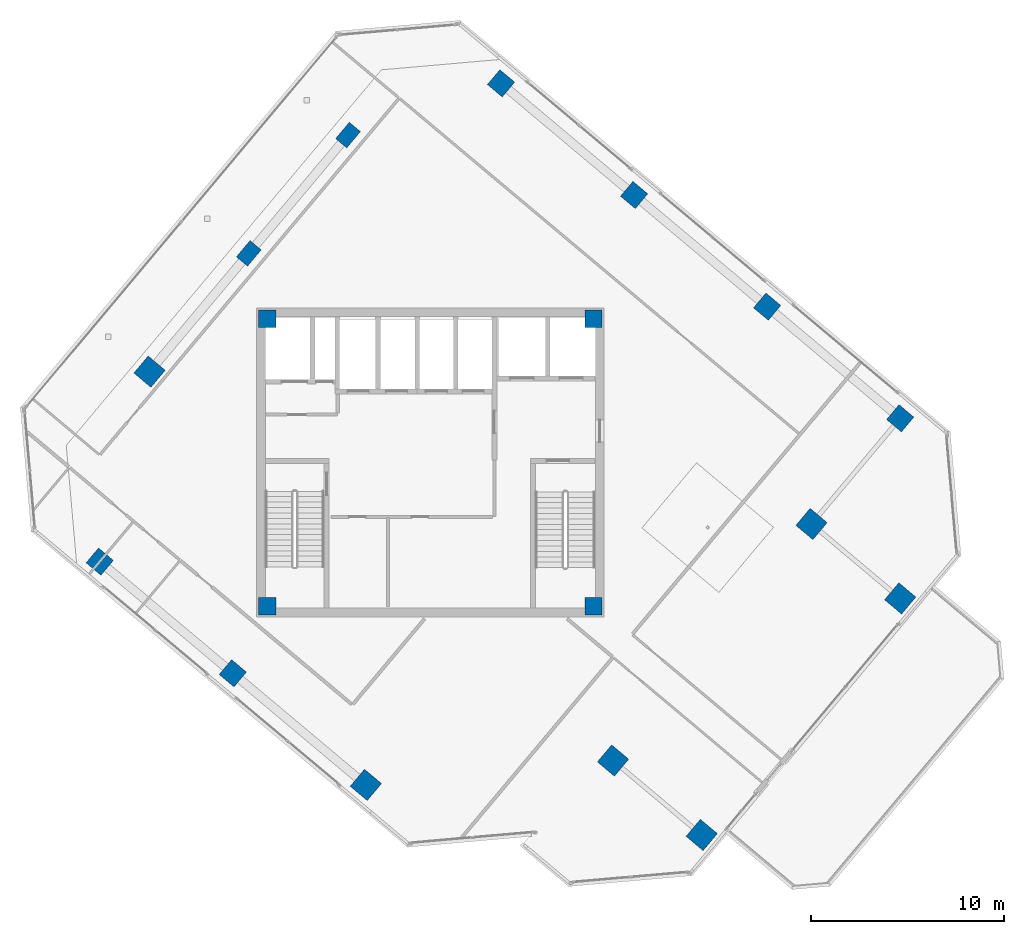
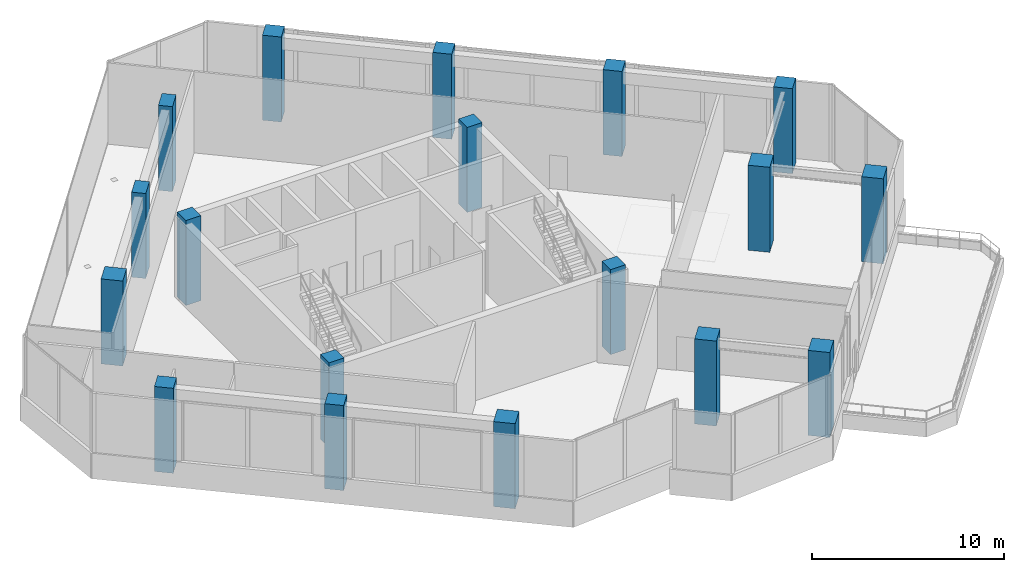
# One storey, part 1 of 17: 18 columns.
"""IFC4 building model written with IfcOpenShell, lengths in metres."""

from ifc_helpers import new_model, si_unit, direction, frame, origin, origin_2d, place, context, subcontext, project, spatial, rectangle, extrude, source, transform, mapped, material, material_profile, profile_set, type_object, element, save


model = new_model("IFC4")

# Units and contexts
model_context = context("Model", 3, precision=1e-05, world=origin(), true_north=direction((0.0, 1.0)))
body_context = subcontext(model_context, "Body", "Model", "MODEL_VIEW")
ifc_project = project(units=[si_unit("LENGTHUNIT", "METRE"), si_unit("AREAUNIT", "SQUARE_METRE"), si_unit("VOLUMEUNIT", "CUBIC_METRE"), si_unit("PLANEANGLEUNIT", "RADIAN"), si_unit("MASSUNIT", "GRAM", prefix="KILO")], contexts=[model_context])

# Site, building, storey
site_placement = place(None, origin())
site = spatial("IfcSite", under=ifc_project, at=site_placement, CompositionType="ELEMENT")
building_placement = place(site_placement, origin())
building = spatial("IfcBuilding", under=site, at=building_placement, Name="Torre Montelarca", CompositionType="ELEMENT")
storey_placement = place(building_placement, frame((0.0, 0.0, 215.199951171875)))
storey = spatial("IfcBuildingStorey", under=building, at=storey_placement, Name="L48", CompositionType="ELEMENT", Elevation=215.199951171875)

# Columns
ifc_material_1 = material(Name="Concrete C55/67", Category="concrete")
ifc_material_profile_1 = material_profile(ifc_material_1, rectangle(XDim=1.14990234375, YDim=1.14990234375, at=origin_2d()), Name="RC1150X1150", Category="concrete")
ifc_profile_set_1 = profile_set([ifc_material_profile_1], Name="Concrete C55/67")
column_type_1 = type_object("IfcColumnType", Name="COL-RC1150", PredefinedType="COLUMN", material=ifc_profile_set_1)
shared_shape_1 = source(origin(), body_context, "Body", "SweptSolid", [
    extrude(rectangle(XDim=1.14990234375, YDim=1.14990234375, at=origin_2d()), origin(), (0.0, 0.0, 1.0), 5.398681640625),
])
for number, where, z_axis, x_axis, name in (
    (1, (27.46533203125, 16.55126953125, 0.000732421875), (0.0, 0.0, 1.0), (-0.766044443119, 0.642787609687, 0.0), "L48 Column 5/D"),
    (2, (37.75, 28.807861328125, 0.000732421875), (0.0, 0.0, 1.0), (-0.766044443119, 0.642787609687, 0.0), "L48 Column 5/F"),
):
    element("IfcColumn", number, at=place(storey_placement, frame(where, z_axis=z_axis, x_axis=x_axis)), inside=storey, type_object=column_type_1, Name=name, PredefinedType="COLUMN", context=body_context, shape_type="MappedRepresentation", body=[
        mapped(shared_shape_1, transform((0.0, 0.0, 0.0), scale=1.0)),
    ])
ifc_material_profile_2 = material_profile(ifc_material_1, rectangle(XDim=1.0, YDim=1.0, at=origin_2d()), Name="RC1000X1000", Category="concrete")
ifc_profile_set_2 = profile_set([ifc_material_profile_2], Name="Concrete C55/67")
column_type_2 = type_object("IfcColumnType", Name="COL-RC1000-EXT", PredefinedType="COLUMN", material=ifc_profile_set_2)
shared_shape_2 = source(origin(), body_context, "Body", "SweptSolid", [
    extrude(rectangle(XDim=1.0, YDim=1.0, at=origin_2d()), origin(), (0.0, 0.0, 1.0), 5.398681640625),
])
for number, where, z_axis, x_axis, name in (
    (3, (0.868408203125, 26.85888671875, 0.000732421875), (0.0, 0.0, 1.0), (-0.766044443119, 0.642787609687, 0.0), "L48 Column 2/CS"),
    (4, (21.66259765625, 51.640380859375, 0.000732421875), (0.0, 0.0, 1.0), (-0.766044443119, 0.642787609687, 0.0), "L48 Column 2/GN"),
    (5, (7.762939453125, 21.07373046875, 0.000732421875), (0.0, 0.0, 1.0), (-0.766044443119, 0.642787609687, 0.0), "L48 Column 3/CS"),
    (6, (28.55712890625, 45.855224609375, 0.000732421875), (0.0, 0.0, 1.0), (-0.766044443119, 0.642787609687, 0.0), "L48 Column 3/GN"),
    (7, (35.451416015625, 40.0703125, 0.000732421875), (0.0, 0.0, 1.0), (-0.766044443119, 0.642787609687, 0.0), "L48 Column 4/GN"),
    (8, (42.345947265625, 34.28515625, 0.000732421875), (0.0, 0.0, 1.0), (-0.766044443119, 0.642787609687, 0.0), "L48 Column 5/GN"),
):
    element("IfcColumn", number, at=place(storey_placement, frame(where, z_axis=z_axis, x_axis=x_axis)), inside=storey, type_object=column_type_2, Name=name, PredefinedType="COLUMN", context=body_context, shape_type="MappedRepresentation", body=[
        mapped(shared_shape_2, transform((0.0, 0.0, 0.0), scale=1.0)),
    ])
ifc_material_profile_3 = material_profile(ifc_material_1, rectangle(XDim=1.14990234375, YDim=1.14990234375, at=origin_2d()), Name="RC1150X1150", Category="concrete")
ifc_profile_set_3 = profile_set([ifc_material_profile_3], Name="Concrete C55/67")
column_type_3 = type_object("IfcColumnType", Name="COL-RC1150-EXT", PredefinedType="COLUMN", material=ifc_profile_set_3)
shared_shape_3 = source(origin(), body_context, "Body", "SweptSolid", [
    extrude(rectangle(XDim=1.14990234375, YDim=1.14990234375, at=origin_2d()), origin(), (0.0, 0.0, 1.0), 5.398681640625),
])
for number, where, z_axis, x_axis, name in (
    (9, (14.6572265625, 15.288818359375, 0.000732421875), (0.0, 0.0, 1.0), (-0.766044443119, 0.642787609687, 0.0), "L48 Column 4/CS"),
    (10, (32.0615234375, 12.694580078125, 0.000732421875), (0.0, 0.0, 1.0), (-0.766044443119, 0.642787609687, 0.0), "L48 Column 6/D"),
    (11, (42.34619140625, 24.951171875, 0.000732421875), (0.0, 0.0, 1.0), (-0.766044443119, 0.642787609687, 0.0), "L48 Column 6/F"),
    (12, (3.449951171875, 36.70263671875, 0.000732421875), (0.0, 0.0, 1.0), (-0.766044443119, 0.642787609687, 0.0), "L48 Column 1W/D"),
):
    element("IfcColumn", number, at=place(storey_placement, frame(where, z_axis=z_axis, x_axis=x_axis)), inside=storey, type_object=column_type_3, Name=name, PredefinedType="COLUMN", context=body_context, shape_type="MappedRepresentation", body=[
        mapped(shared_shape_3, transform((0.0, 0.0, 0.0), scale=1.0)),
    ])
ifc_material_profile_4 = material_profile(ifc_material_1, rectangle(XDim=0.89990234375, YDim=0.89990234375, at=origin_2d()), Name="RC900X900", Category="concrete")
ifc_profile_set_4 = profile_set([ifc_material_profile_4], Name="Concrete C55/67")
column_type_4 = type_object("IfcColumnType", Name="COL-RC900", PredefinedType="COLUMN", material=ifc_profile_set_4)
shared_shape_4 = source(origin(), body_context, "Body", "SweptSolid", [
    extrude(rectangle(XDim=0.89990234375, YDim=0.89990234375, at=origin_2d()), origin(), (0.0, 0.0, 1.0), 5.398681640625),
])
for number, where, z_axis, x_axis, name in (
    (13, (9.550048828125, 24.550048828125, 0.000732421875), (0.0, 0.0, 1.0), (1.0, 0.0, 0.0), "L48 Plumb Core Corner Column 2D"),
    (14, (26.449951171875, 24.550048828125, 0.000732421875), (0.0, 0.0, 1.0), (1.0, 0.0, 0.0), "L48 Plumb Core Corner Column 4D"),
    (15, (9.550048828125, 39.449951171875, 0.000732421875), (0.0, 0.0, 1.0), (1.0, 0.0, 0.0), "L48 Plumb Core Corner Column 2F"),
    (16, (26.449951171875, 39.449951171875, 0.000732421875), (0.0, 0.0, 1.0), (1.0, 0.0, 0.0), "L48 Plumb Core Corner Column 4F"),
):
    element("IfcColumn", number, at=place(storey_placement, frame(where, z_axis=z_axis, x_axis=x_axis)), inside=storey, type_object=column_type_4, Name=name, PredefinedType="COLUMN", context=body_context, shape_type="MappedRepresentation", body=[
        mapped(shared_shape_4, transform((0.0, 0.0, 0.0), scale=1.0)),
    ])
ifc_material_2 = material(Name="Concrete C40/50", Category="concrete")
ifc_material_profile_5 = material_profile(ifc_material_2, rectangle(XDim=0.75, YDim=1.10009765625, at=origin_2d()), Name="RC1100X750", Category="concrete")
ifc_profile_set_5 = profile_set([ifc_material_profile_5], Name="Concrete C40/50")
column_type_5 = type_object("IfcColumnType", Name="COL-PIL1100-EXT", PredefinedType="PILASTER", material=ifc_profile_set_5)
shared_shape_5 = source(origin(), body_context, "Body", "SweptSolid", [
    extrude(rectangle(XDim=0.75, YDim=1.10009765625, at=origin_2d()), origin(), (0.0, 0.0, 1.0), 5.398681640625),
])
for number, where, z_axis, x_axis, name in (
    (17, (8.59228515625, 42.8310546875, 0.000732421875), (0.0, 0.0, 1.0), (-0.766044443119, 0.642787609687, 0.0), "L48 Column 1W/E"),
    (18, (13.734619140625, 48.959228515625, 0.000732421875), (0.0, 0.0, 1.0), (-0.766044443119, 0.642787609687, 0.0), "L48 Column 1W/F"),
):
    element("IfcColumn", number, at=place(storey_placement, frame(where, z_axis=z_axis, x_axis=x_axis)), inside=storey, type_object=column_type_5, Name=name, PredefinedType="PILASTER", context=body_context, shape_type="MappedRepresentation", body=[
        mapped(shared_shape_5, transform((0.0, 0.0, 0.0), scale=1.0)),
    ])

save(model, "model.ifc")
